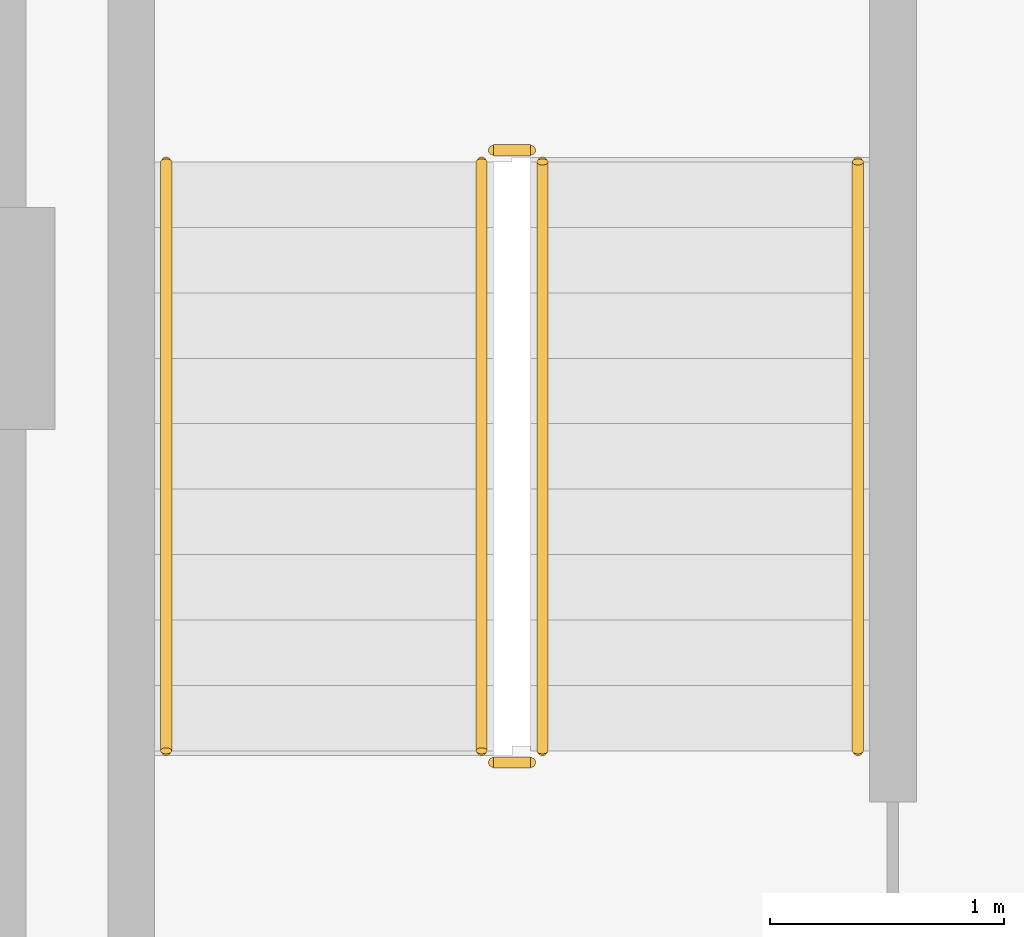
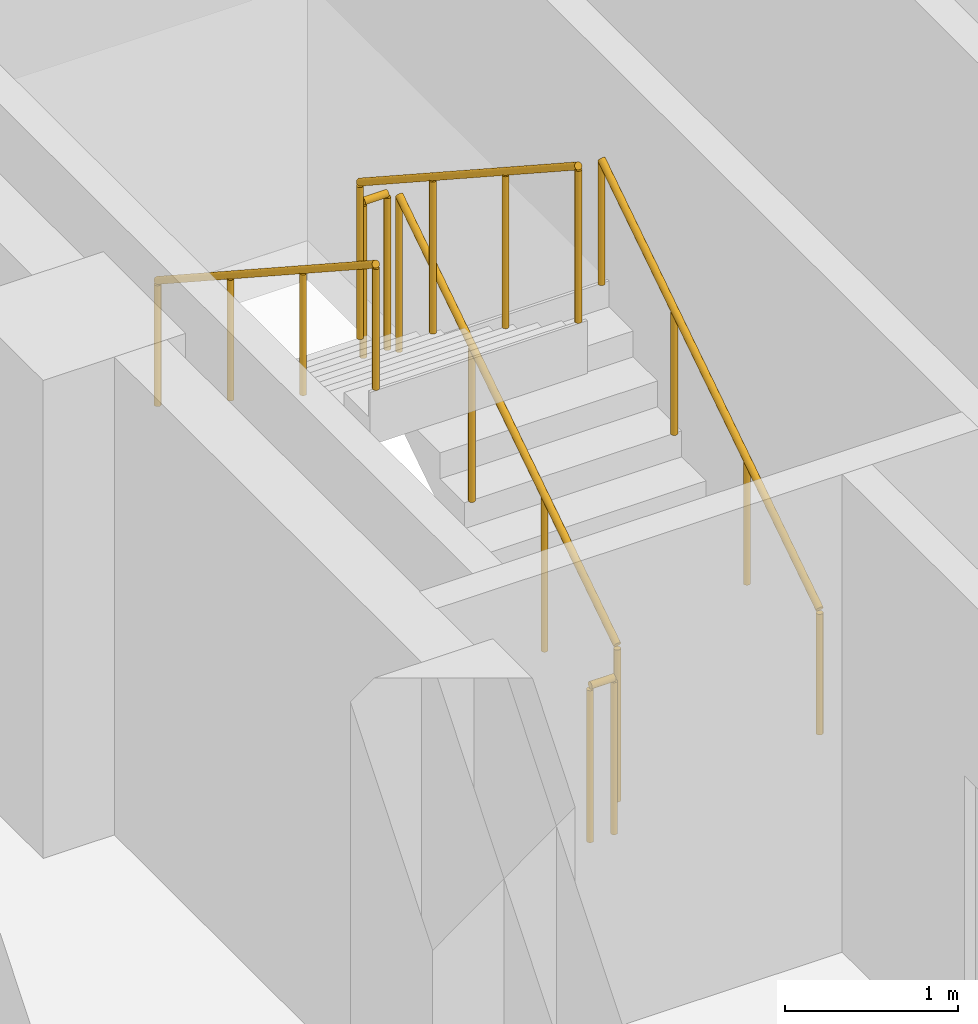
# One storey, part 12 of 15: 6 railings.
"""IFC4 building model written with IfcOpenShell, lengths in metres."""

from ifc_helpers import new_model, si_unit, direction, frame, origin, origin_2d, place, context, subcontext, project, spatial, circle, extrude, material, type_object, element, save


model = new_model("IFC4")

# Units and contexts
model_context = context("Model", 3, precision=1e-05, world=origin(), true_north=direction((0.0, 1.0)))
body_context = subcontext(model_context, "Body", "Model", "MODEL_VIEW")
ifc_project = project(units=[si_unit("LENGTHUNIT", "METRE"), si_unit("AREAUNIT", "SQUARE_METRE"), si_unit("VOLUMEUNIT", "CUBIC_METRE"), si_unit("PLANEANGLEUNIT", "RADIAN"), si_unit("MASSUNIT", "GRAM", prefix="KILO")], contexts=[model_context])

# Site, building, storey
site_placement = place(None, origin())
site = spatial("IfcSite", under=ifc_project, at=site_placement, CompositionType="ELEMENT")
building_placement = place(site_placement, origin())
building = spatial("IfcBuilding", under=site, at=building_placement, Name="Nuvemarco Arch Tower", CompositionType="ELEMENT")
storey_placement = place(building_placement, frame((0.0, 0.0, 201.85009765625)))
storey = spatial("IfcBuildingStorey", under=building, at=storey_placement, Name="L53", CompositionType="ELEMENT", Elevation=201.85009765625)

# Railings
ifc_material_1 = material(Name="Brushed stainless steel handrail", Category="steel")
railing_type_1 = type_object("IfcRailingType", Name="RL-HANDRAIL-900", PredefinedType="HANDRAIL", material=ifc_material_1)
railing_1_placement = place(storey_placement, frame((-13.590087890625, 2.64990234375, 0.182373046875)))
element("IfcRailing", 1, at=railing_1_placement, inside=storey, type_object=railing_type_1, Name="L53 ST-1 stair handrail 1", PredefinedType="HANDRAIL", context=body_context, shape_type="SweptSolid", body=[
    extrude(circle(Radius=0.02392578125, at=origin_2d()), frame((0.0, 0.0, 0.8759765625), z_axis=(0.0, 0.837749427056, 0.546054848405), x_axis=(-1.0, 0.0, 0.0)), (0.0, 0.0, 1.0), 3.008056640625),
    extrude(circle(Radius=0.02099609375, at=origin_2d()), origin(), (0.0, 0.0, 1.0), 0.851806640625),
    extrude(circle(Radius=0.02099609375, at=origin_2d()), frame((0.0, 0.840087890625, 0.547607421875)), (0.0, 0.0, 1.0), 0.851806640625),
    extrude(circle(Radius=0.02099609375, at=origin_2d()), frame((0.0, 1.679931640625, 1.094970703125)), (0.0, 0.0, 1.0), 0.851806640625),
    extrude(circle(Radius=0.02099609375, at=origin_2d()), frame((0.0, 2.52001953125, 1.642578125)), (0.0, 0.0, 1.0), 0.851806640625),
])
railing_2_placement = place(storey_placement, frame((-16.550048828125, 5.169921875, 2.00732421875)))
element("IfcRailing", 2, at=railing_2_placement, inside=storey, type_object=railing_type_1, Name="L53 ST-1 stair handrail 2", PredefinedType="HANDRAIL", context=body_context, shape_type="SweptSolid", body=[
    extrude(circle(Radius=0.02392578125, at=origin_2d()), frame((0.0, 0.0, 0.8759765625), z_axis=(0.0, -0.837749427056, 0.546054848405), x_axis=(1.0, 0.0, 0.0)), (0.0, 0.0, 1.0), 3.008056640625),
    extrude(circle(Radius=0.02099609375, at=origin_2d()), origin(), (0.0, 0.0, 1.0), 0.851806640625),
    extrude(circle(Radius=0.02099609375, at=origin_2d()), frame((0.0, -0.840087890625, 0.547607421875)), (0.0, 0.0, 1.0), 0.851806640625),
    extrude(circle(Radius=0.02099609375, at=origin_2d()), frame((0.0, -1.679931640625, 1.094970703125)), (0.0, 0.0, 1.0), 0.851806640625),
    extrude(circle(Radius=0.02099609375, at=origin_2d()), frame((0.0, -2.52001953125, 1.642578125)), (0.0, 0.0, 1.0), 0.851806640625),
])
ifc_material_2 = material(Name="Painted balustrade steel S355", Category="steel")
railing_type_2 = type_object("IfcRailingType", Name="RL-STAIR-GUARD", PredefinedType="GUARDRAIL", material=ifc_material_2)
railing_3_placement = place(storey_placement, frame((-14.93994140625, 2.64990234375, 0.182373046875)))
element("IfcRailing", 3, at=railing_3_placement, inside=storey, type_object=railing_type_2, Name="L53 ST-1 stair guard 1", PredefinedType="GUARDRAIL", context=body_context, shape_type="SweptSolid", body=[
    extrude(circle(Radius=0.02392578125, at=origin_2d()), frame((0.0, 0.0, 1.09619140625), z_axis=(0.0, 0.837749427056, 0.546054848405), x_axis=(-1.0, 0.0, 0.0)), (0.0, 0.0, 1.0), 3.008056640625),
    extrude(circle(Radius=0.02099609375, at=origin_2d()), origin(), (0.0, 0.0, 1.0), 1.072021484375),
    extrude(circle(Radius=0.02099609375, at=origin_2d()), frame((0.0, 0.840087890625, 0.547607421875)), (0.0, 0.0, 1.0), 1.072021484375),
    extrude(circle(Radius=0.02099609375, at=origin_2d()), frame((0.0, 1.679931640625, 1.094970703125)), (0.0, 0.0, 1.0), 1.072021484375),
    extrude(circle(Radius=0.02099609375, at=origin_2d()), frame((0.0, 2.52001953125, 1.642578125)), (0.0, 0.0, 1.0), 1.072021484375),
])
railing_4_placement = place(storey_placement, frame((-14.989990234375, 5.219970703125, 1.824951171875)))
element("IfcRailing", 4, at=railing_4_placement, inside=storey, type_object=railing_type_2, Name="L53 ST-1 stair guard 2", PredefinedType="GUARDRAIL", context=body_context, shape_type="SweptSolid", body=[
    extrude(circle(Radius=0.02392578125, at=origin_2d()), frame((0.0, 0.0, 1.09619140625), z_axis=(-1.0, 0.0, 0.0), x_axis=(0.0, -1.0, 0.0)), (0.0, 0.0, 1.0), 0.159912109375),
    extrude(circle(Radius=0.02099609375, at=origin_2d()), origin(), (0.0, 0.0, 1.0), 1.072021484375),
    extrude(circle(Radius=0.02099609375, at=origin_2d()), frame((-0.159912109375, 0.0, 0.0)), (0.0, 0.0, 1.0), 1.072021484375),
])
railing_5_placement = place(storey_placement, frame((-15.199951171875, 5.169921875, 2.00732421875)))
element("IfcRailing", 5, at=railing_5_placement, inside=storey, type_object=railing_type_2, Name="L53 ST-1 stair guard 3", PredefinedType="GUARDRAIL", context=body_context, shape_type="SweptSolid", body=[
    extrude(circle(Radius=0.02392578125, at=origin_2d()), frame((0.0, 0.0, 1.09619140625), z_axis=(0.0, -0.837749427056, 0.546054848405), x_axis=(1.0, 0.0, 0.0)), (0.0, 0.0, 1.0), 3.008056640625),
    extrude(circle(Radius=0.02099609375, at=origin_2d()), origin(), (0.0, 0.0, 1.0), 1.072021484375),
    extrude(circle(Radius=0.02099609375, at=origin_2d()), frame((0.0, -0.840087890625, 0.547607421875)), (0.0, 0.0, 1.0), 1.072021484375),
    extrude(circle(Radius=0.02099609375, at=origin_2d()), frame((0.0, -1.679931640625, 1.094970703125)), (0.0, 0.0, 1.0), 1.072021484375),
    extrude(circle(Radius=0.02099609375, at=origin_2d()), frame((0.0, -2.52001953125, 1.642578125)), (0.0, 0.0, 1.0), 1.072021484375),
])
railing_6_placement = place(storey_placement, frame((-14.989990234375, 2.60009765625, 0.0)))
element("IfcRailing", 6, at=railing_6_placement, inside=storey, type_object=railing_type_2, Name="L53 ST-1 stair guard 4", PredefinedType="GUARDRAIL", context=body_context, shape_type="SweptSolid", body=[
    extrude(circle(Radius=0.02392578125, at=origin_2d()), frame((0.0, 0.0, 1.09619140625), z_axis=(-1.0, 0.0, 0.0), x_axis=(0.0, -1.0, 0.0)), (0.0, 0.0, 1.0), 0.159912109375),
    extrude(circle(Radius=0.02099609375, at=origin_2d()), origin(), (0.0, 0.0, 1.0), 1.072021484375),
    extrude(circle(Radius=0.02099609375, at=origin_2d()), frame((-0.159912109375, 0.0, 0.0)), (0.0, 0.0, 1.0), 1.072021484375),
])

save(model, "model.ifc")
